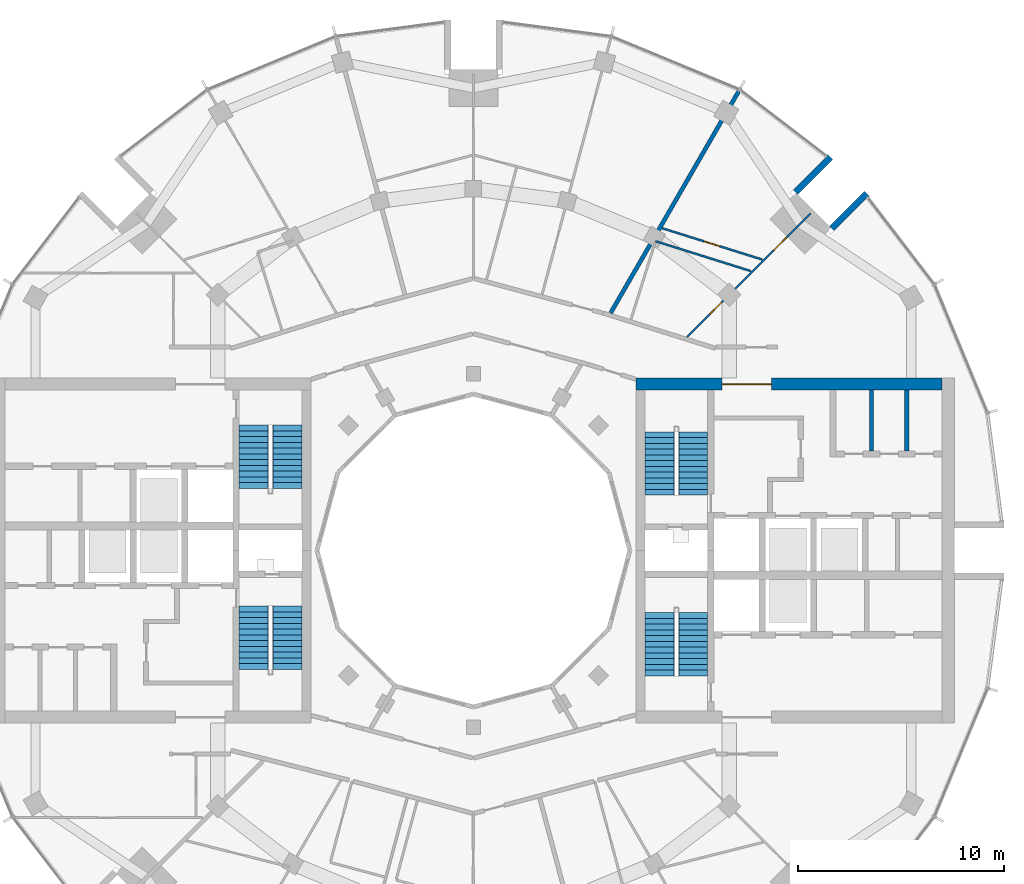
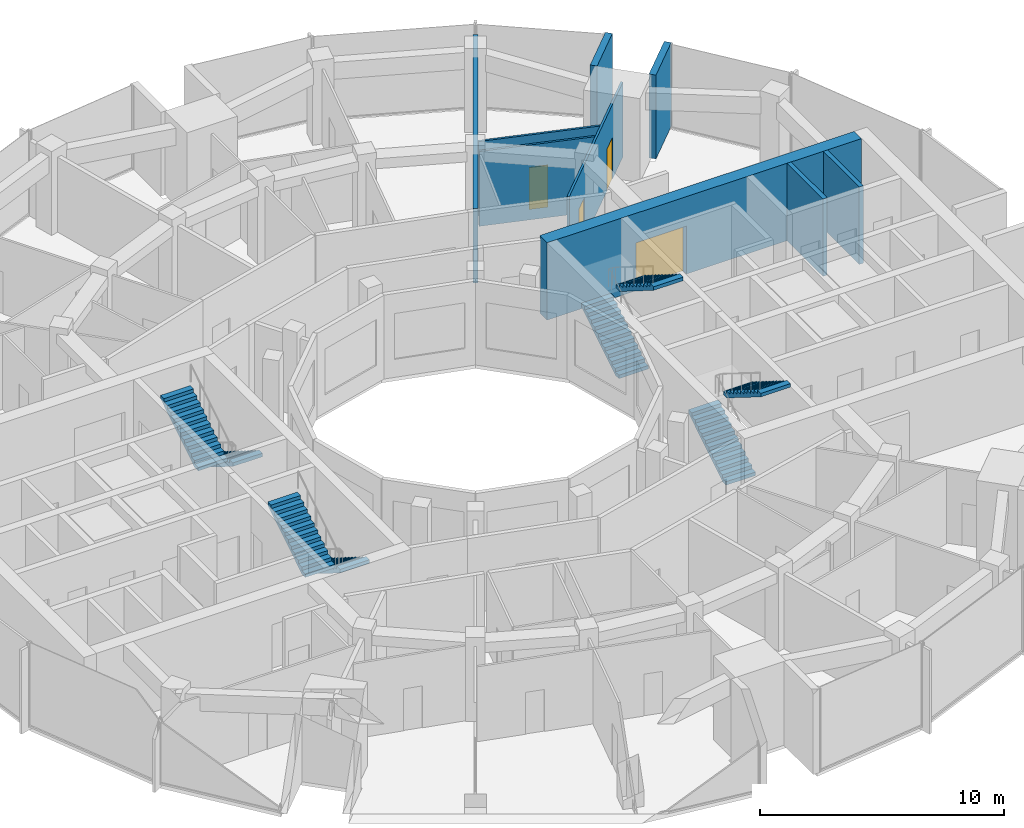
# One storey, part 13 of 15: 9 walls, 8 stair flights, 4 doors, 4 openings, 4 elements without a shape of their own.
"""IFC4 building model written with IfcOpenShell, lengths in metres."""

from ifc_helpers import new_model, si_unit, direction, frame, frame_2d, origin, place, context, subcontext, project, spatial, polyline, rectangle, outline, extrude, material, layer, layer_set, type_object, element, fill, aggregate, save


model = new_model("IFC4")

# Units and contexts
model_context = context("Model", 3, precision=1e-05, world=origin(), true_north=direction((0.0, 1.0)))
body_context = subcontext(model_context, "Body", "Model", "MODEL_VIEW")
ifc_project = project(units=[si_unit("LENGTHUNIT", "METRE"), si_unit("AREAUNIT", "SQUARE_METRE"), si_unit("VOLUMEUNIT", "CUBIC_METRE"), si_unit("PLANEANGLEUNIT", "RADIAN"), si_unit("MASSUNIT", "GRAM", prefix="KILO")], contexts=[model_context])

# Site, building, storey
site_placement = place(None, origin())
site = spatial("IfcSite", under=ifc_project, at=site_placement, CompositionType="ELEMENT")
building_placement = place(site_placement, origin())
building = spatial("IfcBuilding", under=site, at=building_placement, Name="Torre Brocal", CompositionType="ELEMENT")
storey_placement = place(building_placement, frame((0.0, 0.0, 249.89990234375)))
storey = spatial("IfcBuildingStorey", under=building, at=storey_placement, Name="L57", CompositionType="ELEMENT", Elevation=249.89990234375)

# Walls
ifc_material_1 = material(Name="Masonry block", Category="masonry")
ifc_layer_1 = layer(ifc_material_1, 0.199951171875)
ifc_layer_set_1 = layer_set([ifc_layer_1], Name="Masonry block")
wall_type_1 = type_object("IfcWallType", Name="CORE PARTITION 200", PredefinedType="PARTITIONING", material=ifc_layer_set_1)
for number, where, z_axis, x_axis, name in (
    (1, (99.36669921875, 79.85009765625, 0.0), (0.0, 0.0, 1.0), (0.0, 1.0, 0.0), "Wall CP200"),
    (2, (101.083251953125, 79.85009765625, 0.0), (0.0, 0.0, 1.0), (0.0, 1.0, 0.0), "Wall CP200"),
):
    element("IfcWall", number, at=place(storey_placement, frame(where, z_axis=z_axis, x_axis=x_axis)), inside=storey, type_object=wall_type_1, Name=name, PredefinedType="PARTITIONING", context=body_context, shape_type="SweptSolid", body=[
        extrude(rectangle(XDim=2.949951171875, YDim=0.199951171875, at=frame_2d((1.47509765625, 0.0))), origin(), (0.0, 0.0, 1.0), 3.880126953125),
    ])

# Wall, opening, door
ifc_material_2 = material(Name="Concrete C60", Category="concrete")
ifc_layer_2 = layer(ifc_material_2, 0.60009765625)
ifc_layer_set_2 = layer_set([ifc_layer_2], Name="Concrete C60")
wall_type_2 = type_object("IfcWallType", Name="CORE WALL 600 C60", PredefinedType="SHEAR", material=ifc_layer_set_2)
wall_1_placement = place(storey_placement, frame((87.89990234375, 83.10009765625, 0.0), z_axis=(0.0, 0.0, 1.0), x_axis=(1.0, 0.0, 0.0)))
wall_1 = element("IfcWall", 3, at=wall_1_placement, inside=storey, type_object=wall_type_2, Name="Wall CW600-60", PredefinedType="SHEAR", context=body_context, shape_type="SweptSolid", body=[
    extrude(rectangle(XDim=14.900146484375, YDim=0.60009765625, at=frame_2d((7.4501953125, 0.0))), origin(), (0.0, 0.0, 1.0), 3.880126953125),
])
opening_1_placement = place(wall_1_placement, frame((4.199951171875, 0.0, 0.0)))
opening_1 = element("IfcOpeningElement", 4, at=opening_1_placement, cuts=wall_1, Name="Opening E-D12", PredefinedType="OPENING", context=body_context, shape_type="SweptSolid", body=[
    extrude(rectangle(XDim=2.39990234375, YDim=2.39990234375, at=frame_2d((1.199951171875, 1.199951171875))), frame((0.0, 0.31005859375, 0.0), z_axis=(0.0, -1.0, 0.0), x_axis=(1.0, 0.0, 0.0)), (0.0, 0.0, 1.0), 0.6201171875),
])
ifc_material_3 = material(Name="Steel A653", Category="steel")
door_type_1 = type_object("IfcDoorType", Name="DOUBLE FIRE DOOR FD90 2400X2400", OperationType="DOUBLE_DOOR_SINGLE_SWING", PredefinedType="DOOR", material=ifc_material_3)
door_1_placement = place(opening_1_placement, frame((2.39990234375, 0.0, 0.0), z_axis=(0.0, 0.0, 1.0), x_axis=(-1.0, 0.0, 0.0)))
door_1 = element("IfcDoor", 5, at=door_1_placement, inside=storey, type_object=door_type_1, Name="Door E-D12", OperationType="DOUBLE_DOOR_SINGLE_SWING", OverallHeight=2.39990234375, OverallWidth=2.39990234375, PredefinedType="DOOR", context=body_context, shape_type="SweptSolid", body=[
    extrude(rectangle(XDim=2.39990234375, YDim=2.39990234375, at=frame_2d((1.199951171875, 1.199951171875))), frame((0.0, 0.02490234375, 0.0), z_axis=(0.0, -1.0, 0.0), x_axis=(1.0, 0.0, 0.0)), (0.0, 0.0, 1.0), 0.050048828125),
])
fill(opening_1, door_1)

# Walls
ifc_material_4 = material(Name="Concrete C60", Category="concrete")
ifc_layer_3 = layer(ifc_material_4, 0.300048828125)
ifc_layer_set_3 = layer_set([ifc_layer_3], Name="Concrete C60")
wall_type_3 = type_object("IfcWallType", Name="NOTCH RETURN WALL 300 C60", PredefinedType="NOTDEFINED", material=ifc_layer_set_3)
for number, where, z_axis, x_axis, name in (
    (6, (97.43017578125, 90.662353515625, 0.0), (0.0, 0.0, 1.0), (0.707106781187, 0.707106781187, 0.0), "NOTCH RETURN WALL"),
    (7, (95.662353515625, 92.43017578125, 0.0), (0.0, 0.0, 1.0), (0.707106781187, 0.707106781187, 0.0), "NOTCH RETURN WALL"),
):
    element("IfcWall", number, at=place(storey_placement, frame(where, z_axis=z_axis, x_axis=x_axis)), inside=storey, type_object=wall_type_3, Name=name, PredefinedType="NOTDEFINED", context=body_context, shape_type="SweptSolid", body=[
        extrude(rectangle(XDim=2.415771484375, YDim=0.300048828125, at=frame_2d((1.2080078125, 0.0))), origin(), (0.0, 0.0, 1.0), 4.2001953125),
    ])
ifc_material_5 = material(Name="Gypsum board", Category="Gypsum")
ifc_layer_4 = layer(ifc_material_5, 0.10009765625)
ifc_layer_set_4 = layer_set([ifc_layer_4], Name="Gypsum board")
wall_type_4 = type_object("IfcWallType", Name="PARTITION 100", PredefinedType="PARTITIONING", material=ifc_layer_set_4)
wall_2_placement = place(storey_placement, frame((88.85791015625, 90.052978515625, 0.0), z_axis=(0.0, 0.0, 1.0), x_axis=(0.954180222183, -0.299232524294, 0.0)))
element("IfcWall", 8, at=wall_2_placement, inside=storey, type_object=wall_type_4, Name="BATHROOM WALL", PredefinedType="PARTITIONING", context=body_context, shape_type="SweptSolid", body=[
    extrude(rectangle(XDim=4.86279296875, YDim=0.10009765625, at=frame_2d((2.431396484375, 0.0))), origin(), (0.0, 0.0, 1.0), 3.75),
])

# Wall, opening, door
wall_3_placement = place(storey_placement, frame((89.179931640625, 90.68505859375, 0.0), z_axis=(0.0, 0.0, 1.0), x_axis=(0.954251036713, -0.299006620215, 0.0)))
wall_3 = element("IfcWall", 9, at=wall_3_placement, inside=storey, type_object=wall_type_4, Name="BATHROOM WALL", PredefinedType="PARTITIONING", context=body_context, shape_type="SweptSolid", body=[
    extrude(rectangle(XDim=5.110595703125, YDim=0.10009765625, at=frame_2d((2.55517578125, 0.0))), origin(), (0.0, 0.0, 1.0), 3.75),
])
opening_2_placement = place(wall_3_placement, frame((2.140380859375, 0.0, 0.0)))
opening_2 = element("IfcOpeningElement", 10, at=opening_2_placement, cuts=wall_3, Name="Opening B04-D03", PredefinedType="OPENING", context=body_context, shape_type="SweptSolid", body=[
    extrude(rectangle(XDim=0.800048828125, YDim=2.10009765625, at=frame_2d((0.39990234375, 1.050048828125))), frame((0.0, 0.06005859375, 0.0), z_axis=(0.0, -1.0, 0.0), x_axis=(1.0, 0.0, 0.0)), (0.0, 0.0, 1.0), 0.1201171875),
])
ifc_material_6 = material(Name="Timber", Category="wood")
door_type_2 = type_object("IfcDoorType", Name="BATHROOM DOOR 800X2100", OperationType="SINGLE_SWING_LEFT", PredefinedType="DOOR", material=ifc_material_6)
door_2_placement = place(opening_2_placement, frame((0.800048828125, 0.0, 0.0), z_axis=(0.0, 0.0, 1.0), x_axis=(-1.0, 0.0, 0.0)))
door_2 = element("IfcDoor", 11, at=door_2_placement, inside=storey, type_object=door_type_2, Name="B04-D03", OperationType="SINGLE_SWING_LEFT", OverallHeight=2.10009765625, OverallWidth=0.800048828125, PredefinedType="DOOR", context=body_context, shape_type="SweptSolid", body=[
    extrude(rectangle(XDim=0.800048828125, YDim=2.10009765625, at=frame_2d((0.39990234375, 1.050048828125))), frame((0.0, 0.02490234375, 0.0), z_axis=(0.0, -1.0, 0.0), x_axis=(1.0, 0.0, 0.0)), (0.0, 0.0, 1.0), 0.050048828125),
])
fill(opening_2, door_2)

# Wall, openings, doors
wall_4_placement = place(storey_placement, frame((90.39453125, 85.395263671875, 0.0), z_axis=(0.0, 0.0, 1.0), x_axis=(0.707279106146, 0.706934414221, 0.0)))
wall_4 = element("IfcWall", 12, at=wall_4_placement, inside=storey, type_object=wall_type_4, Name="BATHROOM WALL", PredefinedType="PARTITIONING", context=body_context, shape_type="SweptSolid", body=[
    extrude(rectangle(XDim=8.49951171875, YDim=0.10009765625, at=frame_2d((4.249755859375, 0.0))), origin(), (0.0, 0.0, 1.0), 3.75),
])
opening_3_placement = place(wall_4_placement, frame((5.956787109375, 0.0, 0.0)))
opening_3 = element("IfcOpeningElement", 13, at=opening_3_placement, cuts=wall_4, Name="Opening B04-D02", PredefinedType="OPENING", context=body_context, shape_type="SweptSolid", body=[
    extrude(rectangle(XDim=0.89990234375, YDim=2.10009765625, at=frame_2d((0.449951171875, 1.050048828125))), frame((0.0, 0.06005859375, 0.0), z_axis=(0.0, -1.0, 0.0), x_axis=(1.0, 0.0, 0.0)), (0.0, 0.0, 1.0), 0.1201171875),
])
opening_4_placement = place(wall_4_placement, frame((1.56201171875, 0.0, 0.0)))
opening_4 = element("IfcOpeningElement", 14, at=opening_4_placement, cuts=wall_4, Name="Opening B04-D04", PredefinedType="OPENING", context=body_context, shape_type="SweptSolid", body=[
    extrude(rectangle(XDim=0.800048828125, YDim=2.10009765625, at=frame_2d((0.39990234375, 1.050048828125))), frame((0.0, 0.06005859375, 0.0), z_axis=(0.0, -1.0, 0.0), x_axis=(1.0, 0.0, 0.0)), (0.0, 0.0, 1.0), 0.1201171875),
])
door_3_placement = place(opening_4_placement, origin())
door_3 = element("IfcDoor", 15, at=door_3_placement, inside=storey, type_object=door_type_2, Name="B04-D04", OperationType="SINGLE_SWING_LEFT", OverallHeight=2.10009765625, OverallWidth=0.800048828125, PredefinedType="DOOR", context=body_context, shape_type="SweptSolid", body=[
    extrude(rectangle(XDim=0.800048828125, YDim=2.10009765625, at=frame_2d((0.39990234375, 1.050048828125))), frame((0.0, 0.02490234375, 0.0), z_axis=(0.0, -1.0, 0.0), x_axis=(1.0, 0.0, 0.0)), (0.0, 0.0, 1.0), 0.050048828125),
])
fill(opening_4, door_3)
ifc_material_7 = material(Name="Timber", Category="wood")
door_type_3 = type_object("IfcDoorType", Name="ROOM DOOR 900X2100", OperationType="SINGLE_SWING_LEFT", PredefinedType="DOOR", material=ifc_material_7)
door_4_placement = place(opening_3_placement, frame((0.89990234375, 0.0, 0.0), z_axis=(0.0, 0.0, 1.0), x_axis=(-1.0, 0.0, 0.0)))
door_4 = element("IfcDoor", 16, at=door_4_placement, inside=storey, type_object=door_type_3, Name="B04-D02", OperationType="SINGLE_SWING_RIGHT", OverallHeight=2.10009765625, OverallWidth=0.89990234375, PredefinedType="DOOR", context=body_context, shape_type="SweptSolid", body=[
    extrude(rectangle(XDim=0.89990234375, YDim=2.10009765625, at=frame_2d((0.449951171875, 1.050048828125))), frame((0.0, 0.02490234375, 0.0), z_axis=(0.0, -1.0, 0.0), x_axis=(1.0, 0.0, 0.0)), (0.0, 0.0, 1.0), 0.050048828125),
])
fill(opening_3, door_4)

# Wall
ifc_material_8 = material(Name="Gypsum board", Category="Gypsum")
ifc_layer_5 = layer(ifc_material_8, 0.199951171875)
ifc_layer_set_5 = layer_set([ifc_layer_5], Name="Gypsum board")
wall_type_5 = type_object("IfcWallType", Name="PARTITION 200 EI60", PredefinedType="PARTITIONING", material=ifc_layer_set_5)
wall_5_placement = place(storey_placement, frame((86.677001953125, 86.5625, 0.0), z_axis=(0.0, 0.0, 1.0), x_axis=(0.500139020429, 0.865945125424, 0.0)))
element("IfcWall", 17, at=wall_5_placement, inside=storey, type_object=wall_type_5, Name="BATHROOM WALL", PredefinedType="PARTITIONING", context=body_context, shape_type="SweptSolid", body=[
    extrude(rectangle(XDim=12.44580078125, YDim=0.199951171875, at=frame_2d((6.222900390625, 0.0))), origin(), (0.0, 0.0, 1.0), 3.75),
])

# Stair, stair flights
ifc_material_9 = material(Name="Concrete C50", Category="concrete")
stair_type = type_object("IfcStairType", Name="EXIT STAIR", PredefinedType="HALF_TURN_STAIR", material=ifc_material_9)
stair_1_placement = place(storey_placement, origin())
stair_1 = element("IfcStair", 18, at=stair_1_placement, inside=storey, type_object=stair_type, Name="EXIT STAIR ST1", PredefinedType="HALF_TURN_STAIR")
ifc_material_10 = material(Name="Concrete C50", Category="concrete")
ifc_layer_6 = layer(ifc_material_10, 0.14990234375)
ifc_layer_set_6 = layer_set([ifc_layer_6], Name="Concrete C50")
stair_flight_type = type_object("IfcStairFlightType", Name="STAIR FLIGHT", PredefinedType="STRAIGHT", material=ifc_layer_set_6)
stair_flight_1_placement = place(storey_placement, frame((89.050048828125, 77.699951171875, 0.0), z_axis=(0.0, 0.0, 1.0), x_axis=(0.0, 1.0, 0.0)))
stair_flight_1 = element("IfcStairFlight", 19, at=stair_flight_1_placement, type_object=stair_flight_type, Name="ST1 flight 1", NumberOfRisers=12, NumberOfTreads=11, PredefinedType="STRAIGHT", RiserHeight=0.175, TreadLength=0.28, context=body_context, shape_type="SweptSolid", body=[
    extrude(outline(polyline([(0.0, 0.0), (0.0, 0.175048828125), (0.280029296875, 0.175048828125), (0.280029296875, 0.35009765625), (0.56005859375, 0.35009765625), (0.56005859375, 0.52490234375), (0.840087890625, 0.52490234375), (0.840087890625, 0.699951171875), (1.1201171875, 0.699951171875), (1.1201171875, 0.875), (1.39990234375, 0.875), (1.39990234375, 1.050048828125), (1.679931640625, 1.050048828125), (1.679931640625, 1.22509765625), (1.9599609375, 1.22509765625), (1.9599609375, 1.39990234375), (2.239990234375, 1.39990234375), (2.239990234375, 1.574951171875), (2.52001953125, 1.574951171875), (2.52001953125, 1.75), (2.800048828125, 1.75), (2.800048828125, 1.925048828125), (3.080078125, 1.925048828125), (3.080078125, 2.10009765625), (3.080078125, 1.748291015625), (0.28271484375, 0.0), (0.0, 0.0)])), frame((0.0, 0.699951171875, 0.0), z_axis=(0.0, -1.0, 0.0), x_axis=(1.0, 0.0, 0.0)), (0.0, 0.0, 1.0), 1.39990234375),
])
stair_flight_2_placement = place(storey_placement, frame((90.699951171875, 80.780029296875, 2.10009765625), z_axis=(0.0, 0.0, 1.0), x_axis=(0.0, -1.0, 0.0)))
stair_flight_2 = element("IfcStairFlight", 20, at=stair_flight_2_placement, type_object=stair_flight_type, Name="ST1 flight 2", NumberOfRisers=12, NumberOfTreads=11, PredefinedType="STRAIGHT", RiserHeight=0.175, TreadLength=0.28, context=body_context, shape_type="SweptSolid", body=[
    extrude(outline(polyline([(0.0, 0.0), (0.0, 0.175048828125), (0.280029296875, 0.175048828125), (0.280029296875, 0.35009765625), (0.56005859375, 0.35009765625), (0.56005859375, 0.52490234375), (0.840087890625, 0.52490234375), (0.840087890625, 0.699951171875), (1.1201171875, 0.699951171875), (1.1201171875, 0.875), (1.39990234375, 0.875), (1.39990234375, 1.050048828125), (1.679931640625, 1.050048828125), (1.679931640625, 1.22509765625), (1.9599609375, 1.22509765625), (1.9599609375, 1.39990234375), (2.239990234375, 1.39990234375), (2.239990234375, 1.574951171875), (2.52001953125, 1.574951171875), (2.52001953125, 1.75), (2.800048828125, 1.75), (2.800048828125, 1.925048828125), (3.080078125, 1.925048828125), (3.080078125, 2.10009765625), (3.080078125, 1.748291015625), (0.28271484375, 0.0), (0.0, 0.0)])), frame((0.0, 0.699951171875, 0.0), z_axis=(0.0, -1.0, 0.0), x_axis=(1.0, 0.0, 0.0)), (0.0, 0.0, 1.0), 1.39990234375),
])
aggregate(stair_1, [stair_flight_1, stair_flight_2])

stair_2_placement = place(storey_placement, origin())
stair_2 = element("IfcStair", 21, at=stair_2_placement, inside=storey, type_object=stair_type, Name="EXIT STAIR ST2", PredefinedType="HALF_TURN_STAIR")
stair_flight_3_placement = place(storey_placement, frame((89.050048828125, 68.89990234375, 0.0), z_axis=(0.0, 0.0, 1.0), x_axis=(0.0, 1.0, 0.0)))
stair_flight_3 = element("IfcStairFlight", 22, at=stair_flight_3_placement, type_object=stair_flight_type, Name="ST2 flight 1", NumberOfRisers=12, NumberOfTreads=11, PredefinedType="STRAIGHT", RiserHeight=0.175, TreadLength=0.28, context=body_context, shape_type="SweptSolid", body=[
    extrude(outline(polyline([(0.0, 0.0), (0.0, 0.175048828125), (0.280029296875, 0.175048828125), (0.280029296875, 0.35009765625), (0.56005859375, 0.35009765625), (0.56005859375, 0.52490234375), (0.840087890625, 0.52490234375), (0.840087890625, 0.699951171875), (1.1201171875, 0.699951171875), (1.1201171875, 0.875), (1.39990234375, 0.875), (1.39990234375, 1.050048828125), (1.679931640625, 1.050048828125), (1.679931640625, 1.22509765625), (1.9599609375, 1.22509765625), (1.9599609375, 1.39990234375), (2.239990234375, 1.39990234375), (2.239990234375, 1.574951171875), (2.52001953125, 1.574951171875), (2.52001953125, 1.75), (2.800048828125, 1.75), (2.800048828125, 1.925048828125), (3.080078125, 1.925048828125), (3.080078125, 2.10009765625), (3.080078125, 1.748291015625), (0.28271484375, 0.0), (0.0, 0.0)])), frame((0.0, 0.699951171875, 0.0), z_axis=(0.0, -1.0, 0.0), x_axis=(1.0, 0.0, 0.0)), (0.0, 0.0, 1.0), 1.39990234375),
])
stair_flight_4_placement = place(storey_placement, frame((90.699951171875, 71.97998046875, 2.10009765625), z_axis=(0.0, 0.0, 1.0), x_axis=(0.0, -1.0, 0.0)))
stair_flight_4 = element("IfcStairFlight", 23, at=stair_flight_4_placement, type_object=stair_flight_type, Name="ST2 flight 2", NumberOfRisers=12, NumberOfTreads=11, PredefinedType="STRAIGHT", RiserHeight=0.175, TreadLength=0.28, context=body_context, shape_type="SweptSolid", body=[
    extrude(outline(polyline([(0.0, 0.0), (0.0, 0.175048828125), (0.280029296875, 0.175048828125), (0.280029296875, 0.35009765625), (0.56005859375, 0.35009765625), (0.56005859375, 0.52490234375), (0.840087890625, 0.52490234375), (0.840087890625, 0.699951171875), (1.1201171875, 0.699951171875), (1.1201171875, 0.875), (1.39990234375, 0.875), (1.39990234375, 1.050048828125), (1.679931640625, 1.050048828125), (1.679931640625, 1.22509765625), (1.9599609375, 1.22509765625), (1.9599609375, 1.39990234375), (2.239990234375, 1.39990234375), (2.239990234375, 1.574951171875), (2.52001953125, 1.574951171875), (2.52001953125, 1.75), (2.800048828125, 1.75), (2.800048828125, 1.925048828125), (3.080078125, 1.925048828125), (3.080078125, 2.10009765625), (3.080078125, 1.748291015625), (0.28271484375, 0.0), (0.0, 0.0)])), frame((0.0, 0.699951171875, 0.0), z_axis=(0.0, -1.0, 0.0), x_axis=(1.0, 0.0, 0.0)), (0.0, 0.0, 1.0), 1.39990234375),
])
aggregate(stair_2, [stair_flight_3, stair_flight_4])

stair_3_placement = place(storey_placement, origin())
stair_3 = element("IfcStair", 24, at=stair_3_placement, inside=storey, type_object=stair_type, Name="EXIT STAIR ST3", PredefinedType="HALF_TURN_STAIR")
stair_flight_5_placement = place(storey_placement, frame((70.949951171875, 72.300048828125, 0.0), z_axis=(0.0, 0.0, 1.0), x_axis=(0.0, -1.0, 0.0)))
stair_flight_5 = element("IfcStairFlight", 25, at=stair_flight_5_placement, type_object=stair_flight_type, Name="ST3 flight 1", NumberOfRisers=12, NumberOfTreads=11, PredefinedType="STRAIGHT", RiserHeight=0.175, TreadLength=0.28, context=body_context, shape_type="SweptSolid", body=[
    extrude(outline(polyline([(0.0, 0.0), (0.0, 0.175048828125), (0.280029296875, 0.175048828125), (0.280029296875, 0.35009765625), (0.56005859375, 0.35009765625), (0.56005859375, 0.52490234375), (0.840087890625, 0.52490234375), (0.840087890625, 0.699951171875), (1.1201171875, 0.699951171875), (1.1201171875, 0.875), (1.39990234375, 0.875), (1.39990234375, 1.050048828125), (1.679931640625, 1.050048828125), (1.679931640625, 1.22509765625), (1.9599609375, 1.22509765625), (1.9599609375, 1.39990234375), (2.239990234375, 1.39990234375), (2.239990234375, 1.574951171875), (2.52001953125, 1.574951171875), (2.52001953125, 1.75), (2.800048828125, 1.75), (2.800048828125, 1.925048828125), (3.080078125, 1.925048828125), (3.080078125, 2.10009765625), (3.080078125, 1.748291015625), (0.28271484375, 0.0), (0.0, 0.0)])), frame((0.0, 0.699951171875, 0.0), z_axis=(0.0, -1.0, 0.0), x_axis=(1.0, 0.0, 0.0)), (0.0, 0.0, 1.0), 1.39990234375),
])
stair_flight_6_placement = place(storey_placement, frame((69.300048828125, 69.219970703125, 2.10009765625), z_axis=(0.0, 0.0, 1.0), x_axis=(0.0, 1.0, 0.0)))
stair_flight_6 = element("IfcStairFlight", 26, at=stair_flight_6_placement, type_object=stair_flight_type, Name="ST3 flight 2", NumberOfRisers=12, NumberOfTreads=11, PredefinedType="STRAIGHT", RiserHeight=0.175, TreadLength=0.28, context=body_context, shape_type="SweptSolid", body=[
    extrude(outline(polyline([(0.0, 0.0), (0.0, 0.175048828125), (0.280029296875, 0.175048828125), (0.280029296875, 0.35009765625), (0.56005859375, 0.35009765625), (0.56005859375, 0.52490234375), (0.840087890625, 0.52490234375), (0.840087890625, 0.699951171875), (1.1201171875, 0.699951171875), (1.1201171875, 0.875), (1.39990234375, 0.875), (1.39990234375, 1.050048828125), (1.679931640625, 1.050048828125), (1.679931640625, 1.22509765625), (1.9599609375, 1.22509765625), (1.9599609375, 1.39990234375), (2.239990234375, 1.39990234375), (2.239990234375, 1.574951171875), (2.52001953125, 1.574951171875), (2.52001953125, 1.75), (2.800048828125, 1.75), (2.800048828125, 1.925048828125), (3.080078125, 1.925048828125), (3.080078125, 2.10009765625), (3.080078125, 1.748291015625), (0.28271484375, 0.0), (0.0, 0.0)])), frame((0.0, 0.699951171875, 0.0), z_axis=(0.0, -1.0, 0.0), x_axis=(1.0, 0.0, 0.0)), (0.0, 0.0, 1.0), 1.39990234375),
])
aggregate(stair_3, [stair_flight_5, stair_flight_6])

stair_4_placement = place(storey_placement, origin())
stair_4 = element("IfcStair", 27, at=stair_4_placement, inside=storey, type_object=stair_type, Name="EXIT STAIR ST4", PredefinedType="HALF_TURN_STAIR")
stair_flight_7_placement = place(storey_placement, frame((70.949951171875, 81.10009765625, 0.0), z_axis=(0.0, 0.0, 1.0), x_axis=(0.0, -1.0, 0.0)))
stair_flight_7 = element("IfcStairFlight", 28, at=stair_flight_7_placement, type_object=stair_flight_type, Name="ST4 flight 1", NumberOfRisers=12, NumberOfTreads=11, PredefinedType="STRAIGHT", RiserHeight=0.175, TreadLength=0.28, context=body_context, shape_type="SweptSolid", body=[
    extrude(outline(polyline([(0.0, 0.0), (0.0, 0.175048828125), (0.280029296875, 0.175048828125), (0.280029296875, 0.35009765625), (0.56005859375, 0.35009765625), (0.56005859375, 0.52490234375), (0.840087890625, 0.52490234375), (0.840087890625, 0.699951171875), (1.1201171875, 0.699951171875), (1.1201171875, 0.875), (1.39990234375, 0.875), (1.39990234375, 1.050048828125), (1.679931640625, 1.050048828125), (1.679931640625, 1.22509765625), (1.9599609375, 1.22509765625), (1.9599609375, 1.39990234375), (2.239990234375, 1.39990234375), (2.239990234375, 1.574951171875), (2.52001953125, 1.574951171875), (2.52001953125, 1.75), (2.800048828125, 1.75), (2.800048828125, 1.925048828125), (3.080078125, 1.925048828125), (3.080078125, 2.10009765625), (3.080078125, 1.748291015625), (0.28271484375, 0.0), (0.0, 0.0)])), frame((0.0, 0.699951171875, 0.0), z_axis=(0.0, -1.0, 0.0), x_axis=(1.0, 0.0, 0.0)), (0.0, 0.0, 1.0), 1.39990234375),
])
stair_flight_8_placement = place(storey_placement, frame((69.300048828125, 78.02001953125, 2.10009765625), z_axis=(0.0, 0.0, 1.0), x_axis=(0.0, 1.0, 0.0)))
stair_flight_8 = element("IfcStairFlight", 29, at=stair_flight_8_placement, type_object=stair_flight_type, Name="ST4 flight 2", NumberOfRisers=12, NumberOfTreads=11, PredefinedType="STRAIGHT", RiserHeight=0.175, TreadLength=0.28, context=body_context, shape_type="SweptSolid", body=[
    extrude(outline(polyline([(0.0, 0.0), (0.0, 0.175048828125), (0.280029296875, 0.175048828125), (0.280029296875, 0.35009765625), (0.56005859375, 0.35009765625), (0.56005859375, 0.52490234375), (0.840087890625, 0.52490234375), (0.840087890625, 0.699951171875), (1.1201171875, 0.699951171875), (1.1201171875, 0.875), (1.39990234375, 0.875), (1.39990234375, 1.050048828125), (1.679931640625, 1.050048828125), (1.679931640625, 1.22509765625), (1.9599609375, 1.22509765625), (1.9599609375, 1.39990234375), (2.239990234375, 1.39990234375), (2.239990234375, 1.574951171875), (2.52001953125, 1.574951171875), (2.52001953125, 1.75), (2.800048828125, 1.75), (2.800048828125, 1.925048828125), (3.080078125, 1.925048828125), (3.080078125, 2.10009765625), (3.080078125, 1.748291015625), (0.28271484375, 0.0), (0.0, 0.0)])), frame((0.0, 0.699951171875, 0.0), z_axis=(0.0, -1.0, 0.0), x_axis=(1.0, 0.0, 0.0)), (0.0, 0.0, 1.0), 1.39990234375),
])
aggregate(stair_4, [stair_flight_7, stair_flight_8])

save(model, "model.ifc")
